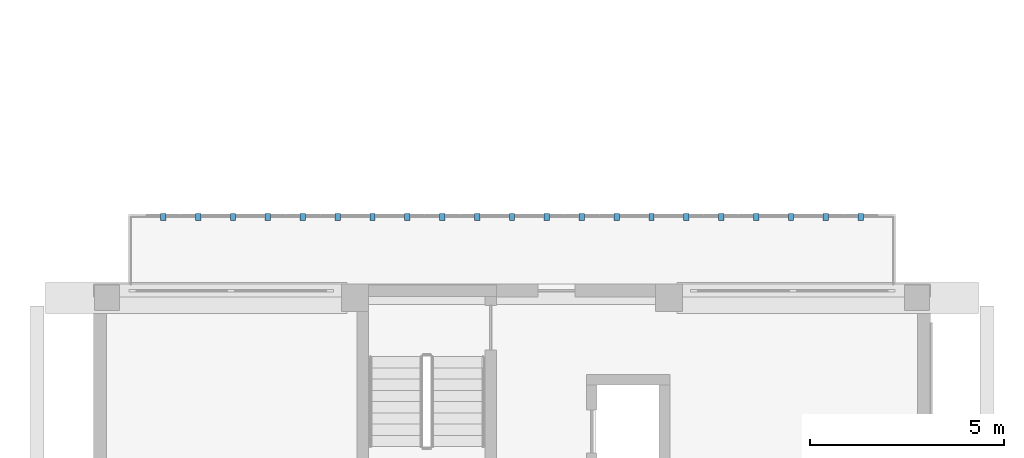
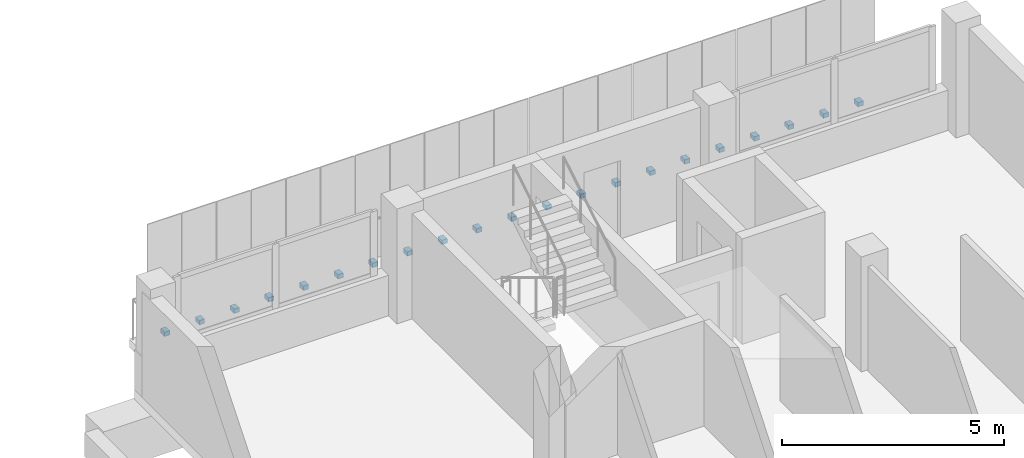
# One storey, part 38 of 51: 21 discrete accessories.
"""IFC4 building model written with IfcOpenShell, lengths in metres."""

import ifcopenshell
import ifcopenshell.guid

model = None  # the IFC model being written
_history = None  # IfcOwnerHistory: only IFC2X3 demands one
_inside = {}  # id of a spatial element -> (the spatial element, [elements in it])
_under = {}  # id of a project, library or spatial element -> (it, [spatial elements below it])
_declared = {}  # id of a project -> (the project, [libraries it declares])
_typed = {}  # id of a type object -> (the type object, [elements of that type])
_made_of = {}  # id of a material, layer set ... -> (it, [elements and type objects made of it])


def new_model(schema):
    """Start an empty IFC model of exactly this schema.

    Asked for "IFC4X3", IfcOpenShell would pick the latest addendum, in which some entities
    have other attributes; the version numbers below select the first issue.
    IFC2X3 requires an IfcOwnerHistory on every rooted entity: one is made here for all.
    """
    global model, _history
    if schema == "IFC4X3":
        model = ifcopenshell.file(schema_version=(4, 3, 0, 0))
    else:
        model = ifcopenshell.file(schema=schema)
    _inside.clear()
    _under.clear()
    _declared.clear()
    _typed.clear()
    _made_of.clear()
    _history = None
    if model.schema == "IFC2X3":
        org = make("IfcOrganization", Name="unknown")
        user = make(
            "IfcPersonAndOrganization",
            ThePerson=make("IfcPerson", FamilyName="unknown"),
            TheOrganization=org,
        )
        app = make(
            "IfcApplication",
            ApplicationDeveloper=org,
            Version="unknown",
            ApplicationFullName="unknown",
            ApplicationIdentifier="unknown",
        )
        _history = make(
            "IfcOwnerHistory",
            OwningUser=user,
            OwningApplication=app,
            ChangeAction="ADDED",
            CreationDate=0,
        )
    return model


def make(cls, **values):
    """One entity of the class cls with the attributes given. An attribute that is None is left unset."""
    return model.create_entity(
        cls, **{name: value for name, value in values.items() if value is not None}
    )


def rooted(cls, **values):
    """An entity with a GlobalId (a new one), such as an element, a storey or a relation."""
    return make(cls, GlobalId=ifcopenshell.guid.new(), OwnerHistory=_history, **values)


def si_unit(unit_type, name, prefix=None):
    """IfcSIUnit, for example si_unit("LENGTHUNIT", "METRE", prefix="MILLI")."""
    return make("IfcSIUnit", UnitType=unit_type, Prefix=prefix, Name=name)


def derived_unit(unit_type, elements):
    """IfcDerivedUnit: a product of units, each with its exponent."""
    return make(
        "IfcDerivedUnit",
        Elements=[
            make("IfcDerivedUnitElement", Unit=unit, Exponent=power)
            for unit, power in elements
        ],
        UnitType=unit_type,
    )


def assignment(units):
    """IfcUnitAssignment: the units of a project."""
    return None if units is None else make("IfcUnitAssignment", Units=units)


def point(xyz):
    """IfcCartesianPoint."""
    return None if xyz is None else make("IfcCartesianPoint", Coordinates=xyz)


def direction(xyz):
    """IfcDirection."""
    return None if xyz is None else make("IfcDirection", DirectionRatios=xyz)


def frame(location, z_axis=None, x_axis=None):
    """IfcAxis2Placement3D, a coordinate frame: its origin and axes. An axis left out is left unset."""
    return make(
        "IfcAxis2Placement3D",
        Location=point(location),
        Axis=direction(z_axis),
        RefDirection=direction(x_axis),
    )


def frame_2d(location, x_axis=None):
    """IfcAxis2Placement2D, a coordinate frame in the plane: its origin and x axis."""
    return make(
        "IfcAxis2Placement2D", Location=point(location), RefDirection=direction(x_axis)
    )


def origin():
    """The frame at (0, 0, 0) with its axes left unset."""
    return frame((0.0, 0.0, 0.0))


def origin_2d():
    """The frame at (0, 0) in the plane with its x axis left unset."""
    return frame_2d((0.0, 0.0))


def place(relative_to, where):
    """IfcLocalPlacement: puts the frame where relative to a parent placement (None: the world)."""
    return make(
        "IfcLocalPlacement", PlacementRelTo=relative_to, RelativePlacement=where
    )


def context(
    kind, dimensions, precision=None, world=None, true_north=None, identifier=None
):
    """IfcGeometricRepresentationContext, for example the 3D "Model" context."""
    return make(
        "IfcGeometricRepresentationContext",
        ContextIdentifier=identifier,
        ContextType=kind,
        CoordinateSpaceDimension=dimensions,
        Precision=precision,
        WorldCoordinateSystem=world,
        TrueNorth=true_north,
    )


def subcontext(parent, identifier, kind, view, scale=None):
    """IfcGeometricRepresentationSubContext, for example "Body" below "Model"."""
    return make(
        "IfcGeometricRepresentationSubContext",
        ContextIdentifier=identifier,
        ContextType=kind,
        ParentContext=parent,
        TargetScale=scale,
        TargetView=view,
    )


def project(units=None, contexts=None):
    """IfcProject with its units and contexts."""
    return rooted(
        "IfcProject",
        Name="project",
        RepresentationContexts=contexts,
        UnitsInContext=assignment(units),
    )


def spatial(cls, under=None, at=None, **own):
    """A site, building, storey or space (cls), placed at a placement, below another one or the project."""
    s = rooted(cls, ObjectPlacement=at, **own)
    if under is not None:
        _under.setdefault(under.id(), (under, []))[1].append(s)
    return s


def profile(cls, at=None, kind="AREA", **sizes):
    """A parametric profile (cls). Its sizes go by their IFC names, for example OverallWidth=200.0."""
    return make(cls, ProfileType=kind, Position=at, **sizes)


def rectangle(**sizes):
    """IfcRectangleProfileDef."""
    return profile("IfcRectangleProfileDef", **sizes)


def extrude(swept, where, along, depth):
    """IfcExtrudedAreaSolid: the profile swept, set in the frame where, extruded along a direction by depth."""
    return make(
        "IfcExtrudedAreaSolid",
        SweptArea=swept,
        Position=where,
        ExtrudedDirection=direction(along),
        Depth=depth,
    )


def shape(context_of_items, identifier, shape_type, items):
    """IfcShapeRepresentation: the items that make up one representation, for example the "Body"."""
    return make(
        "IfcShapeRepresentation",
        ContextOfItems=context_of_items,
        RepresentationIdentifier=identifier,
        RepresentationType=shape_type,
        Items=items,
    )


def material(Name=None, Category=None):
    """IfcMaterial."""
    return make("IfcMaterial", Name=Name, Category=Category)


def made_of(thing, what):
    """Note that an element or type object is made of a material, layer set ...; save() writes the relation."""
    if what is not None:
        _made_of.setdefault(what.id(), (what, []))[1].append(thing)
    return thing


def type_object(cls, material=None, **own):
    """A type object (cls), such as IfcWallType, which elements share."""
    return made_of(rooted(cls, **own), material)


def element(
    cls,
    number,
    at=None,
    inside=None,
    cuts=None,
    type_object=None,
    material=None,
    context=None,
    identifier="Body",
    shape_type=None,
    held_by="IfcProductDefinitionShape",
    body=None,
    shapes=None,
    **own,
):
    """One element of the class cls, such as IfcWall. Its Tag is "e" and its number.

    at: its placement. inside: the storey or other place that contains it. cuts: it is an
    opening in that element (IfcRelVoidsElement). A single representation is given by context,
    identifier, shape_type and body (its items); several are given by shapes. held_by: the class
    of the entity that holds the representations. save() writes the other relations.
    """
    e = rooted(cls, Tag="e%d" % number, ObjectPlacement=at, **own)
    if body is not None:
        shapes = [shape(context, identifier, shape_type, body)]
    if shapes is not None:
        e.Representation = make(held_by, Representations=shapes)
    if inside is not None:
        _inside.setdefault(inside.id(), (inside, []))[1].append(e)
    if cuts is not None:
        rooted(
            "IfcRelVoidsElement", RelatingBuildingElement=cuts, RelatedOpeningElement=e
        )
    if type_object is not None:
        _typed.setdefault(type_object.id(), (type_object, []))[1].append(e)
    return made_of(e, material)


def aggregate(whole, parts):
    """IfcRelAggregates: a whole, such as a stair, and the parts it consists of."""
    return rooted("IfcRelAggregates", RelatingObject=whole, RelatedObjects=parts)


def save(model, path):
    """Write the relations noted so far, then the file.

    IfcRelAggregates (storeys below a building ...), IfcRelContainedInSpatialStructure (elements
    in a storey), IfcRelDefinesByType, IfcRelAssociatesMaterial and IfcRelDeclares: one each for
    every whole, place, type object, material and project.
    """
    for whole, parts in _under.values():
        aggregate(whole, parts)
    for where, things in _inside.values():
        rooted(
            "IfcRelContainedInSpatialStructure",
            RelatedElements=things,
            RelatingStructure=where,
        )
    for kind, things in _typed.values():
        rooted("IfcRelDefinesByType", RelatedObjects=things, RelatingType=kind)
    for what, things in _made_of.values():
        rooted("IfcRelAssociatesMaterial", RelatedObjects=things, RelatingMaterial=what)
    for by, libraries in _declared.values():
        rooted("IfcRelDeclares", RelatingContext=by, RelatedDefinitions=libraries)
    model.write(path)


model = new_model("IFC4")

# Units and contexts
model_context = context("Model", 3, precision=1e-05, world=origin(), true_north=direction((0.0, 1.0)))
body_context = subcontext(model_context, "Body", "Model", "MODEL_VIEW")
ifc_project = project(units=[si_unit("LENGTHUNIT", "METRE"), si_unit("AREAUNIT", "SQUARE_METRE"), si_unit("VOLUMEUNIT", "CUBIC_METRE"), si_unit("PLANEANGLEUNIT", "RADIAN"), si_unit("MASSUNIT", "GRAM", prefix="KILO"), derived_unit("THERMALTRANSMITTANCEUNIT", [(si_unit("MASSUNIT", "GRAM", prefix="KILO"), 1), (si_unit("TIMEUNIT", "SECOND"), -3), (si_unit("THERMODYNAMICTEMPERATUREUNIT", "KELVIN"), -1)])], contexts=[model_context])

# Site, building, storey
site_placement = place(None, origin())
site = spatial("IfcSite", under=ifc_project, at=site_placement, CompositionType="ELEMENT")
building_placement = place(site_placement, origin())
building = spatial("IfcBuilding", under=site, at=building_placement, Name="Ochrekiln Boulevard Commons", CompositionType="ELEMENT")
storey_placement = place(building_placement, frame((0.0, 0.0, 18.375)))
storey = spatial("IfcBuildingStorey", under=building, at=storey_placement, Name="L05", CompositionType="ELEMENT", Elevation=18.375)

# Discrete accessories
ifc_material = material(Name="Steel A992 Grade 50", Category="steel")
discrete_accessory_type = type_object("IfcDiscreteAccessoryType", Name="ACC-BRK-CLEAT", PredefinedType="BRACKET", material=ifc_material)
for number, where, z_axis, x_axis, name in (
    (1, (151.199951171875, 52.139892578125, -0.14013671875), (0.0, 0.0, 1.0), (1.0, 0.0, 0.0), "Bronze Screen Slab-Edge Support Bracket 101"),
    (2, (152.10009765625, 52.139892578125, -0.14013671875), (0.0, 0.0, 1.0), (1.0, 0.0, 0.0), "Bronze Screen Slab-Edge Support Bracket 102"),
    (3, (153.0, 52.139892578125, -0.14013671875), (0.0, 0.0, 1.0), (1.0, 0.0, 0.0), "Bronze Screen Slab-Edge Support Bracket 103"),
    (4, (153.89990234375, 52.139892578125, -0.14013671875), (0.0, 0.0, 1.0), (1.0, 0.0, 0.0), "Bronze Screen Slab-Edge Support Bracket 104"),
    (5, (154.800048828125, 52.139892578125, -0.14013671875), (0.0, 0.0, 1.0), (1.0, 0.0, 0.0), "Bronze Screen Slab-Edge Support Bracket 105"),
    (6, (155.699951171875, 52.139892578125, -0.14013671875), (0.0, 0.0, 1.0), (1.0, 0.0, 0.0), "Bronze Screen Slab-Edge Support Bracket 106"),
    (7, (156.60009765625, 52.139892578125, -0.14013671875), (0.0, 0.0, 1.0), (1.0, 0.0, 0.0), "Bronze Screen Slab-Edge Support Bracket 107"),
    (8, (157.5, 52.139892578125, -0.14013671875), (0.0, 0.0, 1.0), (1.0, 0.0, 0.0), "Bronze Screen Slab-Edge Support Bracket 108"),
    (9, (158.39990234375, 52.139892578125, -0.14013671875), (0.0, 0.0, 1.0), (1.0, 0.0, 0.0), "Bronze Screen Slab-Edge Support Bracket 109"),
    (10, (159.300048828125, 52.139892578125, -0.14013671875), (0.0, 0.0, 1.0), (1.0, 0.0, 0.0), "Bronze Screen Slab-Edge Support Bracket 110"),
    (11, (160.199951171875, 52.139892578125, -0.14013671875), (0.0, 0.0, 1.0), (1.0, 0.0, 0.0), "Bronze Screen Slab-Edge Support Bracket 111"),
    (12, (161.10009765625, 52.139892578125, -0.14013671875), (0.0, 0.0, 1.0), (1.0, 0.0, 0.0), "Bronze Screen Slab-Edge Support Bracket 112"),
    (13, (162.0, 52.139892578125, -0.14013671875), (0.0, 0.0, 1.0), (1.0, 0.0, 0.0), "Bronze Screen Slab-Edge Support Bracket 113"),
    (14, (162.89990234375, 52.139892578125, -0.14013671875), (0.0, 0.0, 1.0), (1.0, 0.0, 0.0), "Bronze Screen Slab-Edge Support Bracket 114"),
    (15, (163.800048828125, 52.139892578125, -0.14013671875), (0.0, 0.0, 1.0), (1.0, 0.0, 0.0), "Bronze Screen Slab-Edge Support Bracket 115"),
    (16, (164.699951171875, 52.139892578125, -0.14013671875), (0.0, 0.0, 1.0), (1.0, 0.0, 0.0), "Bronze Screen Slab-Edge Support Bracket 116"),
    (17, (165.60009765625, 52.139892578125, -0.14013671875), (0.0, 0.0, 1.0), (1.0, 0.0, 0.0), "Bronze Screen Slab-Edge Support Bracket 117"),
    (18, (166.5, 52.139892578125, -0.14013671875), (0.0, 0.0, 1.0), (1.0, 0.0, 0.0), "Bronze Screen Slab-Edge Support Bracket 118"),
    (19, (167.39990234375, 52.139892578125, -0.14013671875), (0.0, 0.0, 1.0), (1.0, 0.0, 0.0), "Bronze Screen Slab-Edge Support Bracket 119"),
    (20, (168.300048828125, 52.139892578125, -0.14013671875), (0.0, 0.0, 1.0), (1.0, 0.0, 0.0), "Bronze Screen Slab-Edge Support Bracket 120"),
    (21, (169.199951171875, 52.139892578125, -0.14013671875), (0.0, 0.0, 1.0), (1.0, 0.0, 0.0), "Bronze Screen Slab-Edge Support Bracket 121"),
):
    element("IfcDiscreteAccessory", number, at=place(storey_placement, frame(where, z_axis=z_axis, x_axis=x_axis)), inside=storey, type_object=discrete_accessory_type, Name=name, PredefinedType="BRACKET", context=body_context, shape_type="SweptSolid", body=[
        extrude(rectangle(XDim=0.139892578125, YDim=0.179931640625, at=origin_2d()), origin(), (0.0, 0.0, 1.0), 0.1201171875),
    ])

save(model, "model.ifc")
